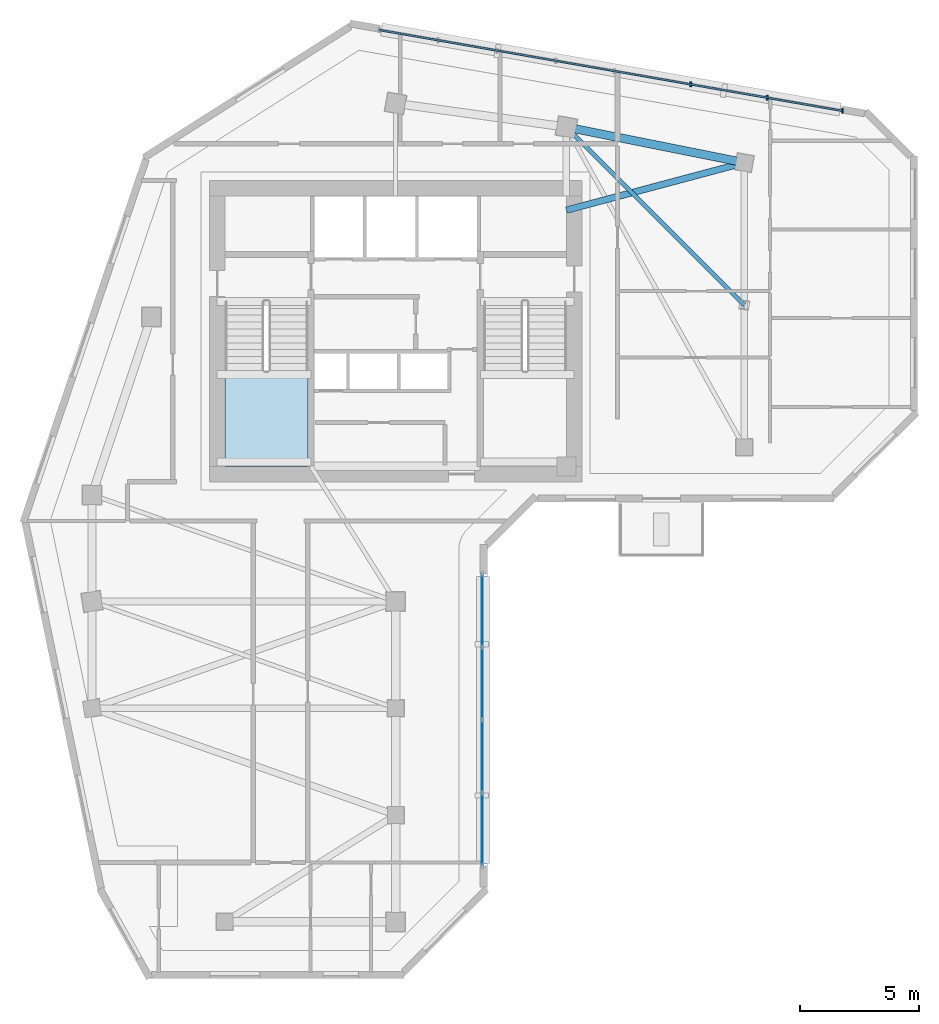
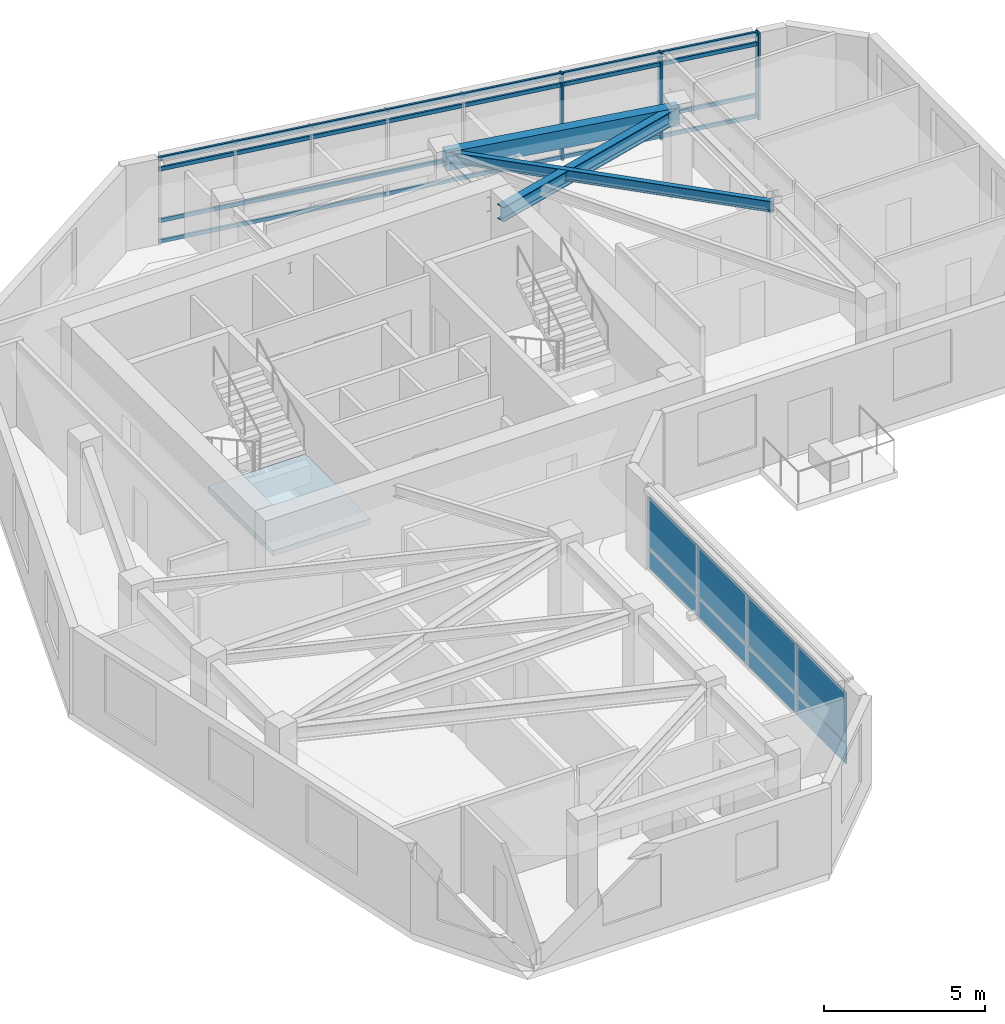
# One storey, part 2 of 9: 8 plates, 7 members, 3 beams, 1 slab, 3 elements without a shape of their own.
"""IFC4 building model written with IfcOpenShell, lengths in metres."""

from ifc_helpers import new_model, si_unit, direction, frame, frame_2d, origin, origin_2d, place, context, subcontext, project, spatial, polyline, rectangle, i_section, outline, extrude, source, transform, mapped, material, layer, layer_set, material_profile, profile_set, type_object, element, aggregate, save


model = new_model("IFC4")

# Units and contexts
model_context = context("Model", 3, precision=1e-05, world=origin(), true_north=direction((0.0, 1.0)))
body_context = subcontext(model_context, "Body", "Model", "MODEL_VIEW")
ifc_project = project(units=[si_unit("LENGTHUNIT", "METRE"), si_unit("AREAUNIT", "SQUARE_METRE"), si_unit("VOLUMEUNIT", "CUBIC_METRE"), si_unit("PLANEANGLEUNIT", "RADIAN"), si_unit("MASSUNIT", "GRAM", prefix="KILO")], contexts=[model_context])

# Site, building, storey
site_placement = place(None, origin())
site = spatial("IfcSite", under=ifc_project, at=site_placement, CompositionType="ELEMENT")
building_placement = place(site_placement, origin())
building = spatial("IfcBuilding", under=site, at=building_placement, Name="Calvemar Wedge Station Tower", CompositionType="ELEMENT")
storey_placement = place(building_placement, frame((0.0, 0.0, 225.39990234375)))
storey = spatial("IfcBuildingStorey", under=building, at=storey_placement, Name="L57", CompositionType="ELEMENT", Elevation=225.39990234375)

# Beams
ifc_material_1 = material(Name="Structural steel ASTM A572 Grade 50", Category="steel")
ifc_material_profile_1 = material_profile(ifc_material_1, i_section(OverallWidth=0.279052734375, OverallDepth=0.553955078125, WebThickness=0.017578125, FlangeThickness=0.029541015625, FilletRadius=0.014892578125, at=origin_2d()), Name="W530x196")
ifc_profile_set_1 = profile_set([ifc_material_profile_1], Name="Structural steel ASTM A572 Grade 50")
beam_type_1 = type_object("IfcBeamType", Name="BM-SB3-W530H", PredefinedType="BEAM", material=ifc_profile_set_1)
shared_shape_1 = source(origin(), body_context, "Body", "SweptSolid", [
    extrude(i_section(OverallWidth=0.279052734375, OverallDepth=0.553955078125, WebThickness=0.017578125, FlangeThickness=0.029541015625, FilletRadius=0.014892578125, at=origin_2d()), origin(), (0.0, 0.0, 1.0), 7.76220703125),
])
beam_1_placement = place(storey_placement, frame((31.0, 45.0, 2.97314453125), z_axis=(0.966234939601, 0.25766265056, 0.0), x_axis=(-0.25766265056, 0.966234939601, 0.0)))
element("IfcBeam", 1, at=beam_1_placement, inside=storey, type_object=beam_type_1, Name="Storey L57 Core-to-Column Joist CJ-E2", PredefinedType="BEAM", context=body_context, shape_type="MappedRepresentation", body=[
    mapped(shared_shape_1, transform((0.0, 0.0, 0.0), scale=1.0)),
])
ifc_material_profile_2 = material_profile(ifc_material_1, i_section(OverallWidth=0.177978515625, OverallDepth=0.406982421875, WebThickness=0.0078125, FlangeThickness=0.0126953125, FilletRadius=0.010009765625, at=origin_2d()), Name="W410x60")
ifc_profile_set_2 = profile_set([ifc_material_profile_2], Name="Structural steel ASTM A572 Grade 50")
beam_type_2 = type_object("IfcBeamType", Name="BM-J3-W410", PredefinedType="JOIST", material=ifc_profile_set_2)
shared_shape_2 = source(origin(), body_context, "Body", "SweptSolid", [
    extrude(i_section(OverallWidth=0.177978515625, OverallDepth=0.406982421875, WebThickness=0.0078125, FlangeThickness=0.0126953125, FilletRadius=0.010009765625, at=origin_2d()), origin(), (0.0, 0.0, 1.0), 10.606689453125),
])
beam_2_placement = place(storey_placement, frame((38.5, 41.0, 3.046630859375), z_axis=(-0.707106781187, 0.707106781187, 0.0), x_axis=(-0.707106781187, -0.707106781187, 0.0)))
element("IfcBeam", 2, at=beam_2_placement, inside=storey, type_object=beam_type_2, Name="Storey L57 Floor Beam T-NTIP-B-T-N2", PredefinedType="JOIST", context=body_context, shape_type="MappedRepresentation", body=[
    mapped(shared_shape_2, transform((0.0, 0.0, 0.0), scale=1.0)),
])
ifc_material_2 = material(Name="Concrete C50", Category="concrete")
ifc_material_profile_3 = material_profile(ifc_material_2, rectangle(XDim=0.35009765625, YDim=0.699951171875, at=origin_2d()), Name="RC350x700")
ifc_profile_set_3 = profile_set([ifc_material_profile_3], Name="Concrete C50")
beam_type_3 = type_object("IfcBeamType", Name="BM-SP2-700", PredefinedType="SPANDREL", material=ifc_profile_set_3)
shared_shape_3 = source(origin(), body_context, "Body", "SweptSolid", [
    extrude(rectangle(XDim=0.35009765625, YDim=0.699951171875, at=origin_2d()), origin(), (0.0, 0.0, 1.0), 7.6484375),
])
beam_3_placement = place(storey_placement, frame((31.0, 48.5, 2.900146484375), z_axis=(0.980580675691, -0.196116135138, 0.0), x_axis=(0.196116135138, 0.980580675691, 0.0)))
element("IfcBeam", 3, at=beam_3_placement, inside=storey, type_object=beam_type_3, Name="Storey L57 Spandrel T-N2-T-NU3", PredefinedType="SPANDREL", context=body_context, shape_type="MappedRepresentation", body=[
    mapped(shared_shape_3, transform((0.0, 0.0, 0.0), scale=1.0)),
])

# Curtain wall, members
ifc_material_3 = material(Name="Anodised aluminium 6063-T6", Category="aluminium")
curtain_wall_type = type_object("IfcCurtainWallType", Name="CW3", PredefinedType="NOTDEFINED", material=ifc_material_3)
curtain_wall_1_placement = place(storey_placement, origin())
curtain_wall_1 = element("IfcCurtainWall", 4, at=curtain_wall_1_placement, inside=storey, type_object=curtain_wall_type, Name="Storey L57 CW3 Recessed Unitised Curtain Wall 10", PredefinedType="NOTDEFINED")
ifc_material_profile_4 = material_profile(ifc_material_3, rectangle(XDim=0.074951171875, YDim=0.2099609375, at=origin_2d()), Name="AL-MUL-75x210")
ifc_profile_set_4 = profile_set([ifc_material_profile_4], Name="Anodised aluminium 6063-T6")
member_type_1 = type_object("IfcMemberType", Name="CW3-MUL", PredefinedType="MULLION", material=ifc_profile_set_4)
shared_shape_4 = source(origin(), body_context, "Body", "SweptSolid", [
    extrude(rectangle(XDim=0.074951171875, YDim=0.2099609375, at=origin_2d()), origin(), (0.0, 0.0, 1.0), 3.2998046875),
])
member_1_placement = place(storey_placement, frame((42.633544921875, 49.1826171875, -0.0498046875), z_axis=(0.0, 0.0, 1.0), x_axis=(1.0, 0.0, 0.0)))
member_1 = element("IfcMember", 5, at=member_1_placement, type_object=member_type_1, Name="CW3 mullion 1", PredefinedType="MULLION", context=body_context, shape_type="MappedRepresentation", body=[
    mapped(shared_shape_4, transform((0.0, 0.0, 0.0), scale=1.0)),
])
member_2_placement = place(storey_placement, frame((39.46142578125, 49.73681640625, -0.0498046875), z_axis=(0.0, 0.0, 1.0), x_axis=(1.0, 0.0, 0.0)))
member_2 = element("IfcMember", 6, at=member_2_placement, type_object=member_type_1, Name="CW3 mullion 2", PredefinedType="MULLION", context=body_context, shape_type="MappedRepresentation", body=[
    mapped(shared_shape_4, transform((0.0, 0.0, 0.0), scale=1.0)),
])
member_3_placement = place(storey_placement, frame((36.24169921875, 50.299072265625, -0.0498046875), z_axis=(0.0, 0.0, 1.0), x_axis=(1.0, 0.0, 0.0)))
member_3 = element("IfcMember", 7, at=member_3_placement, type_object=member_type_1, Name="CW3 mullion 3", PredefinedType="MULLION", context=body_context, shape_type="MappedRepresentation", body=[
    mapped(shared_shape_4, transform((0.0, 0.0, 0.0), scale=1.0)),
])
ifc_material_profile_5 = material_profile(ifc_material_3, rectangle(XDim=0.074951171875, YDim=0.14501953125, at=origin_2d()), Name="AL-TRN-75x145")
ifc_profile_set_5 = profile_set([ifc_material_profile_5], Name="Anodised aluminium 6063-T6")
member_type_2 = type_object("IfcMemberType", Name="CW3-TRN", PredefinedType="USERDEFINED", material=ifc_profile_set_5)
shared_shape_5 = source(origin(), body_context, "Body", "SweptSolid", [
    extrude(rectangle(XDim=0.074951171875, YDim=0.14501953125, at=origin_2d()), origin(), (0.0, 0.0, 1.0), 19.824462890625),
])
member_4_placement = place(storey_placement, frame((42.633544921875, 49.1826171875, 0.06005859375), z_axis=(-0.985085308681, 0.172066657493, 0.0), x_axis=(-0.172066657493, -0.985085308681, 0.0)))
member_4 = element("IfcMember", 8, at=member_4_placement, type_object=member_type_2, Name="CW3 transom 1", ObjectType="TRANSOM", PredefinedType="USERDEFINED", context=body_context, shape_type="MappedRepresentation", body=[
    mapped(shared_shape_5, transform((0.0, 0.0, 0.0), scale=1.0)),
])
member_5_placement = place(storey_placement, frame((42.633544921875, 49.1826171875, 0.85009765625), z_axis=(-0.985085308681, 0.172066657493, 0.0), x_axis=(-0.172066657493, -0.985085308681, 0.0)))
member_5 = element("IfcMember", 9, at=member_5_placement, type_object=member_type_2, Name="CW3 transom 2", ObjectType="TRANSOM", PredefinedType="USERDEFINED", context=body_context, shape_type="MappedRepresentation", body=[
    mapped(shared_shape_5, transform((0.0, 0.0, 0.0), scale=1.0)),
])
member_6_placement = place(storey_placement, frame((42.633544921875, 49.1826171875, 2.800048828125), z_axis=(-0.985085308681, 0.172066657493, 0.0), x_axis=(-0.172066657493, -0.985085308681, 0.0)))
member_6 = element("IfcMember", 10, at=member_6_placement, type_object=member_type_2, Name="CW3 transom 3", ObjectType="TRANSOM", PredefinedType="USERDEFINED", context=body_context, shape_type="MappedRepresentation", body=[
    mapped(shared_shape_5, transform((0.0, 0.0, 0.0), scale=1.0)),
])
member_7_placement = place(storey_placement, frame((42.633544921875, 49.1826171875, 3.190185546875), z_axis=(-0.985085308681, 0.172066657493, 0.0), x_axis=(-0.172066657493, -0.985085308681, 0.0)))
member_7 = element("IfcMember", 11, at=member_7_placement, type_object=member_type_2, Name="CW3 transom 4", ObjectType="TRANSOM", PredefinedType="USERDEFINED", context=body_context, shape_type="MappedRepresentation", body=[
    mapped(shared_shape_5, transform((0.0, 0.0, 0.0), scale=1.0)),
])
aggregate(curtain_wall_1, [member_1, member_2, member_3, member_4, member_5, member_6, member_7])

# Curtain wall, plates
curtain_wall_2_placement = place(storey_placement, origin())
curtain_wall_2 = element("IfcCurtainWall", 12, at=curtain_wall_2_placement, inside=storey, type_object=curtain_wall_type, Name="Storey L57 CW3 Recessed Unitised Curtain Wall 4", PredefinedType="NOTDEFINED")
ifc_material_4 = material(Name="Low-E laminated insulated glass", Category="glass")
ifc_layer_1 = layer(ifc_material_4, 0.028076171875)
ifc_layer_set_1 = layer_set([ifc_layer_1], Name="Low-E laminated insulated glass")
plate_type_1 = type_object("IfcPlateType", Name="CW3-GLZ", PredefinedType="CURTAIN_PANEL", material=ifc_layer_set_1)
plate_1_placement = place(storey_placement, frame((27.4541015625, 17.380126953125, 0.8701171875), z_axis=(0.0, 0.0, 1.0), x_axis=(0.0, 1.0, 0.0)))
plate_1 = element("IfcPlate", 13, at=plate_1_placement, type_object=plate_type_1, Name="CW3 vision glass panel 1", PredefinedType="CURTAIN_PANEL", context=body_context, shape_type="SweptSolid", body=[
    extrude(rectangle(XDim=3.036865234375, YDim=0.028076171875, at=frame_2d((1.5185546875, 0.0))), origin(), (0.0, 0.0, 1.0), 1.909912109375),
])
plate_2_placement = place(storey_placement, frame((27.4541015625, 20.453125, 0.8701171875), z_axis=(0.0, 0.0, 1.0), x_axis=(0.0, 1.0, 0.0)))
plate_2 = element("IfcPlate", 14, at=plate_2_placement, type_object=plate_type_1, Name="CW3 vision glass panel 2", PredefinedType="CURTAIN_PANEL", context=body_context, shape_type="SweptSolid", body=[
    extrude(rectangle(XDim=3.036865234375, YDim=0.028076171875, at=frame_2d((1.5185546875, 0.0))), origin(), (0.0, 0.0, 1.0), 1.909912109375),
])
plate_3_placement = place(storey_placement, frame((27.4541015625, 23.526123046875, 0.8701171875), z_axis=(0.0, 0.0, 1.0), x_axis=(0.0, 1.0, 0.0)))
plate_3 = element("IfcPlate", 15, at=plate_3_placement, type_object=plate_type_1, Name="CW3 vision glass panel 3", PredefinedType="CURTAIN_PANEL", context=body_context, shape_type="SweptSolid", body=[
    extrude(rectangle(XDim=3.036865234375, YDim=0.028076171875, at=frame_2d((1.5185546875, 0.0))), origin(), (0.0, 0.0, 1.0), 1.909912109375),
])
plate_4_placement = place(storey_placement, frame((27.4541015625, 26.59912109375, 0.8701171875), z_axis=(0.0, 0.0, 1.0), x_axis=(0.0, 1.0, 0.0)))
plate_4 = element("IfcPlate", 16, at=plate_4_placement, type_object=plate_type_1, Name="CW3 vision glass panel 4", PredefinedType="CURTAIN_PANEL", context=body_context, shape_type="SweptSolid", body=[
    extrude(rectangle(XDim=3.036865234375, YDim=0.028076171875, at=frame_2d((1.5185546875, 0.0))), origin(), (0.0, 0.0, 1.0), 1.909912109375),
])
ifc_material_5 = material(Name="Oxidized bronze aluminium spandrel panel 5005-H24", Category="aluminium")
ifc_layer_2 = layer(ifc_material_5, 0.0400390625)
ifc_layer_set_2 = layer_set([ifc_layer_2], Name="Oxidized bronze aluminium spandrel panel 5005-H24")
plate_type_2 = type_object("IfcPlateType", Name="CW3-SPD", PredefinedType="SHEET", material=ifc_layer_set_2)
plate_5_placement = place(storey_placement, frame((27.4541015625, 17.380126953125, 0.080078125), z_axis=(0.0, 0.0, 1.0), x_axis=(0.0, 1.0, 0.0)))
plate_5 = element("IfcPlate", 17, at=plate_5_placement, type_object=plate_type_2, Name="CW3 bronze spandrel panel 1", PredefinedType="SHEET", context=body_context, shape_type="SweptSolid", body=[
    extrude(rectangle(XDim=3.036865234375, YDim=0.0400390625, at=frame_2d((1.5185546875, 0.0))), origin(), (0.0, 0.0, 1.0), 0.75),
])
plate_6_placement = place(storey_placement, frame((27.4541015625, 20.453125, 0.080078125), z_axis=(0.0, 0.0, 1.0), x_axis=(0.0, 1.0, 0.0)))
plate_6 = element("IfcPlate", 18, at=plate_6_placement, type_object=plate_type_2, Name="CW3 bronze spandrel panel 2", PredefinedType="SHEET", context=body_context, shape_type="SweptSolid", body=[
    extrude(rectangle(XDim=3.036865234375, YDim=0.0400390625, at=frame_2d((1.5185546875, 0.0))), origin(), (0.0, 0.0, 1.0), 0.75),
])
plate_7_placement = place(storey_placement, frame((27.4541015625, 23.526123046875, 0.080078125), z_axis=(0.0, 0.0, 1.0), x_axis=(0.0, 1.0, 0.0)))
plate_7 = element("IfcPlate", 19, at=plate_7_placement, type_object=plate_type_2, Name="CW3 bronze spandrel panel 3", PredefinedType="SHEET", context=body_context, shape_type="SweptSolid", body=[
    extrude(rectangle(XDim=3.036865234375, YDim=0.0400390625, at=frame_2d((1.5185546875, 0.0))), origin(), (0.0, 0.0, 1.0), 0.75),
])
plate_8_placement = place(storey_placement, frame((27.4541015625, 26.59912109375, 0.080078125), z_axis=(0.0, 0.0, 1.0), x_axis=(0.0, 1.0, 0.0)))
plate_8 = element("IfcPlate", 20, at=plate_8_placement, type_object=plate_type_2, Name="CW3 bronze spandrel panel 4", PredefinedType="SHEET", context=body_context, shape_type="SweptSolid", body=[
    extrude(rectangle(XDim=3.036865234375, YDim=0.0400390625, at=frame_2d((1.5185546875, 0.0))), origin(), (0.0, 0.0, 1.0), 0.75),
])
aggregate(curtain_wall_2, [plate_5, plate_1, plate_6, plate_2, plate_7, plate_3, plate_8, plate_4])

# Stair, slab
ifc_material_6 = material(Name="Concrete C45", Category="concrete")
stair_type = type_object("IfcStairType", Name="ST-TYPE-3500", PredefinedType="HALF_TURN_STAIR", material=ifc_material_6)
stair_placement = place(storey_placement, origin())
stair = element("IfcStair", 21, at=stair_placement, inside=storey, type_object=stair_type, Name="L57 Pressurized Core Exit Stair ST-C1", PredefinedType="HALF_TURN_STAIR")
ifc_layer_3 = layer(ifc_material_6, 0.199951171875)
ifc_layer_set_3 = layer_set([ifc_layer_3], Name="Concrete C45")
slab_type = type_object("IfcSlabType", Name="SL-STAIR-LND-200", PredefinedType="LANDING", material=ifc_layer_set_3)
slab_placement = place(storey_placement, frame((0.0, 0.0, 1.550048828125)))
slab = element("IfcSlab", 22, at=slab_placement, type_object=slab_type, Name="ST-C1 landing 1", PredefinedType="LANDING", context=body_context, shape_type="SweptSolid", body=[
    extrude(outline(polyline([(16.60009765625, 38.25), (16.60009765625, 34.199951171875), (20.10009765625, 34.199951171875), (20.10009765625, 38.25), (16.60009765625, 38.25)])), origin(), (0.0, 0.0, 1.0), 0.199951171875),
])
aggregate(stair, [slab])

save(model, "model.ifc")
